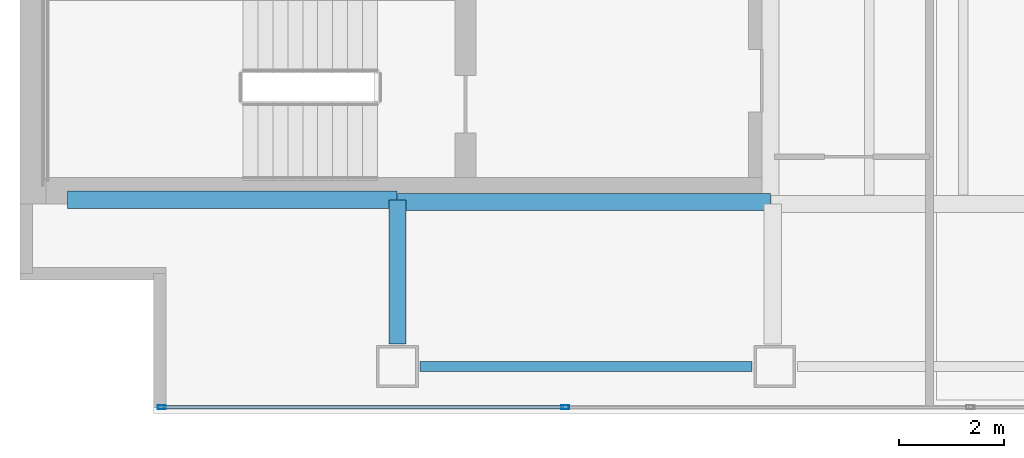
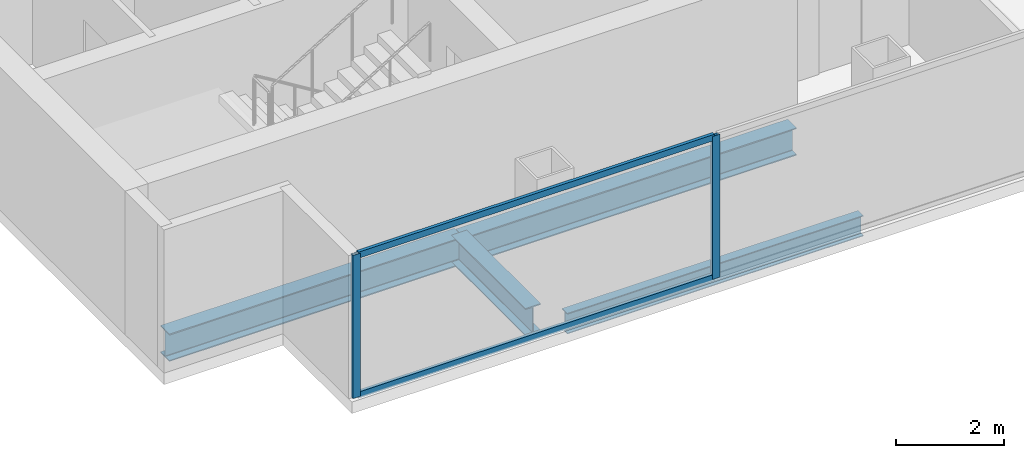
# One storey, part 2 of 23: 4 beams, 4 members, 1 element without a shape of its own.
"""IFC4 building model written with IfcOpenShell, lengths in metres."""

from ifc_helpers import new_model, si_unit, direction, frame, origin, origin_2d, place, context, subcontext, project, spatial, hollow_rectangle, i_section, extrude, material, material_profile, profile_set, type_object, element, aggregate, save


model = new_model("IFC4")

# Units and contexts
model_context = context("Model", 3, precision=1e-05, world=origin(), true_north=direction((0.0, 1.0)))
body_context = subcontext(model_context, "Body", "Model", "MODEL_VIEW")
ifc_project = project(units=[si_unit("LENGTHUNIT", "METRE"), si_unit("AREAUNIT", "SQUARE_METRE"), si_unit("VOLUMEUNIT", "CUBIC_METRE"), si_unit("PLANEANGLEUNIT", "RADIAN"), si_unit("MASSUNIT", "GRAM", prefix="KILO")], contexts=[model_context])

# Site, building, storey
site_placement = place(None, origin())
site = spatial("IfcSite", under=ifc_project, at=site_placement, CompositionType="ELEMENT")
building_placement = place(site_placement, origin())
building = spatial("IfcBuilding", under=site, at=building_placement, Name="Cobrela Telecom Tower", CompositionType="ELEMENT")
storey_placement = place(building_placement, frame((0.0, 0.0, 187.25)))
storey = spatial("IfcBuildingStorey", under=building, at=storey_placement, Name="L47", CompositionType="ELEMENT", Elevation=187.25)

# Beams
ifc_material_1 = material(Name="Steel ASTM A992 Grade 50", Category="steel")
ifc_material_profile_1 = material_profile(ifc_material_1, i_section(OverallWidth=0.327880859375, OverallDepth=0.6220703125, WebThickness=0.015380859375, FlangeThickness=0.0244140625, FilletRadius=0.014892578125, at=origin_2d()), Name="W24X131")
ifc_profile_set_1 = profile_set([ifc_material_profile_1], Name="Steel ASTM A992 Grade 50")
beam_type_1 = type_object("IfcBeamType", Name="BM-GIRD-06", PredefinedType="USERDEFINED", material=ifc_profile_set_1)
beam_1_placement = place(storey_placement, frame((0.905029296875, 7.280029296875, -0.571044921875), z_axis=(1.0, 0.0, 0.0), x_axis=(0.0, 1.0, 0.0)))
element("IfcBeam", 1, at=beam_1_placement, inside=storey, type_object=beam_type_1, Name="L47 Primary Girder X05", ObjectType="GIRDER", PredefinedType="USERDEFINED", context=body_context, shape_type="SweptSolid", body=[
    extrude(i_section(OverallWidth=0.327880859375, OverallDepth=0.6220703125, WebThickness=0.015380859375, FlangeThickness=0.0244140625, FilletRadius=0.014892578125, at=origin_2d()), origin(), (0.0, 0.0, 1.0), 6.2900390625),
])
beam_2_placement = place(storey_placement, frame((7.205078125, 7.239990234375, -0.571044921875), z_axis=(1.0, 0.0, 0.0), x_axis=(0.0, 1.0, 0.0)))
element("IfcBeam", 2, at=beam_2_placement, inside=storey, type_object=beam_type_1, Name="L47 Primary Girder X06", ObjectType="GIRDER", PredefinedType="USERDEFINED", context=body_context, shape_type="SweptSolid", body=[
    extrude(i_section(OverallWidth=0.327880859375, OverallDepth=0.6220703125, WebThickness=0.015380859375, FlangeThickness=0.0244140625, FilletRadius=0.014892578125, at=origin_2d()), origin(), (0.0, 0.0, 1.0), 7.10986328125),
])
beam_3_placement = place(storey_placement, frame((7.199951171875, 4.530029296875, -0.571044921875), z_axis=(0.0, 1.0, 0.0), x_axis=(-1.0, 0.0, 0.0)))
element("IfcBeam", 3, at=beam_3_placement, inside=storey, type_object=beam_type_1, Name="L47 Primary Girder Y24", ObjectType="GIRDER", PredefinedType="USERDEFINED", context=body_context, shape_type="SweptSolid", body=[
    extrude(i_section(OverallWidth=0.327880859375, OverallDepth=0.6220703125, WebThickness=0.015380859375, FlangeThickness=0.0244140625, FilletRadius=0.014892578125, at=origin_2d()), origin(), (0.0, 0.0, 1.0), 2.744873046875),
])
ifc_material_profile_2 = material_profile(ifc_material_1, i_section(OverallWidth=0.193115234375, OverallDepth=0.467041015625, WebThickness=0.011474609375, FlangeThickness=0.01904296875, FilletRadius=0.012939453125, at=origin_2d()), Name="W18X65")
ifc_profile_set_2 = profile_set([ifc_material_profile_2], Name="Steel ASTM A992 Grade 50")
beam_type_2 = type_object("IfcBeamType", Name="BM-SPAND-05", PredefinedType="SPANDREL", material=ifc_profile_set_2)
beam_4_placement = place(storey_placement, frame((7.6298828125, 4.10009765625, -0.493408203125), z_axis=(1.0, 0.0, 0.0), x_axis=(0.0, 1.0, 0.0)))
element("IfcBeam", 4, at=beam_4_placement, inside=storey, type_object=beam_type_2, Name="L47 Perimeter Spandrel X01", PredefinedType="SPANDREL", context=body_context, shape_type="SweptSolid", body=[
    extrude(i_section(OverallWidth=0.193115234375, OverallDepth=0.467041015625, WebThickness=0.011474609375, FlangeThickness=0.01904296875, FilletRadius=0.012939453125, at=origin_2d()), origin(), (0.0, 0.0, 1.0), 6.340087890625),
])

# Curtain wall, members
ifc_material_2 = material(Name="Anodized Bronze Aluminium 6063-T6", Category="aluminium")
curtain_wall_type = type_object("IfcCurtainWallType", Name="CW-SYS-OFF-LO", PredefinedType="USERDEFINED", material=ifc_material_2)
curtain_wall_placement = place(storey_placement, origin())
curtain_wall = element("IfcCurtainWall", 5, at=curtain_wall_placement, inside=storey, type_object=curtain_wall_type, Name="L47 Unitised Bronze Curtain Wall 17", ObjectType="UNITISED CURTAIN WALL", PredefinedType="USERDEFINED")
ifc_material_profile_3 = material_profile(ifc_material_2, hollow_rectangle(XDim=0.070068359375, YDim=0.159912109375, WallThickness=0.00390625, at=origin_2d()), Name="ALU 70x160x4")
ifc_profile_set_3 = profile_set([ifc_material_profile_3], Name="Anodized Bronze Aluminium 6063-T6")
member_type_1 = type_object("IfcMemberType", Name="CW-SYS-OFF-LO-MUL", PredefinedType="MULLION", material=ifc_profile_set_3)
member_1_placement = place(storey_placement, frame((10.402099609375, 3.320068359375, 0.0), z_axis=(0.0, 0.0, 1.0), x_axis=(0.0, -1.0, 0.0)))
member_1 = element("IfcMember", 6, at=member_1_placement, type_object=member_type_1, Name="CW-OFF-LO mullion 5", PredefinedType="MULLION", context=body_context, shape_type="SweptSolid", body=[
    extrude(hollow_rectangle(XDim=0.070068359375, YDim=0.159912109375, WallThickness=0.00390625, at=origin_2d()), origin(), (0.0, 0.0, 1.0), 3.239990234375),
])
member_2_placement = place(storey_placement, frame((2.705078125, 3.320068359375, 0.0), z_axis=(0.0, 0.0, 1.0), x_axis=(0.0, -1.0, 0.0)))
member_2 = element("IfcMember", 7, at=member_2_placement, type_object=member_type_1, Name="CW-OFF-LO mullion 6", PredefinedType="MULLION", context=body_context, shape_type="SweptSolid", body=[
    extrude(hollow_rectangle(XDim=0.070068359375, YDim=0.159912109375, WallThickness=0.00390625, at=origin_2d()), origin(), (0.0, 0.0, 1.0), 3.239990234375),
])
ifc_material_profile_4 = material_profile(ifc_material_2, hollow_rectangle(XDim=0.070068359375, YDim=0.139892578125, WallThickness=0.00390625, at=origin_2d()), Name="ALU 70x140x4")
ifc_profile_set_4 = profile_set([ifc_material_profile_4], Name="Anodized Bronze Aluminium 6063-T6")
member_type_2 = type_object("IfcMemberType", Name="CW-SYS-OFF-LO-TRN", PredefinedType="USERDEFINED", material=ifc_profile_set_4)
member_3_placement = place(storey_placement, frame((10.366943359375, 3.320068359375, 0.034912109375), z_axis=(-1.0, 0.0, 0.0), x_axis=(0.0, -1.0, 0.0)))
member_3 = element("IfcMember", 8, at=member_3_placement, type_object=member_type_2, Name="CW-OFF-LO transom 5.1", ObjectType="TRANSOM", PredefinedType="USERDEFINED", context=body_context, shape_type="SweptSolid", body=[
    extrude(hollow_rectangle(XDim=0.070068359375, YDim=0.139892578125, WallThickness=0.00390625, at=origin_2d()), origin(), (0.0, 0.0, 1.0), 7.626953125),
])
member_4_placement = place(storey_placement, frame((10.366943359375, 3.320068359375, 3.205078125), z_axis=(-1.0, 0.0, 0.0), x_axis=(0.0, -1.0, 0.0)))
member_4 = element("IfcMember", 9, at=member_4_placement, type_object=member_type_2, Name="CW-OFF-LO transom 5.2", ObjectType="TRANSOM", PredefinedType="USERDEFINED", context=body_context, shape_type="SweptSolid", body=[
    extrude(hollow_rectangle(XDim=0.070068359375, YDim=0.139892578125, WallThickness=0.00390625, at=origin_2d()), origin(), (0.0, 0.0, 1.0), 7.626953125),
])
aggregate(curtain_wall, [member_1, member_2, member_3, member_4])

save(model, "model.ifc")
